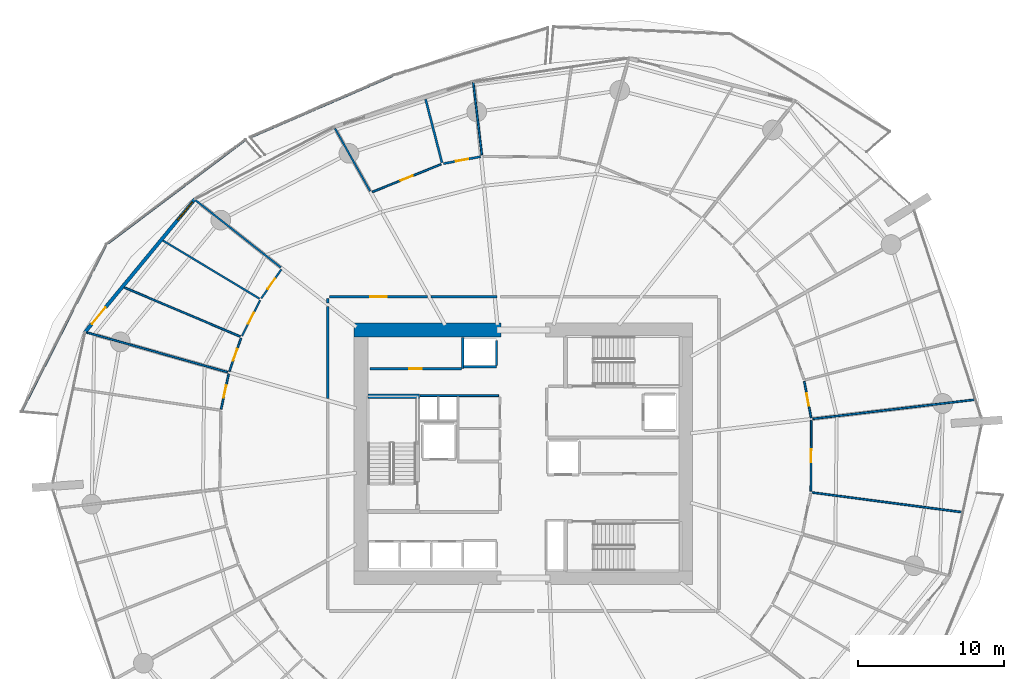
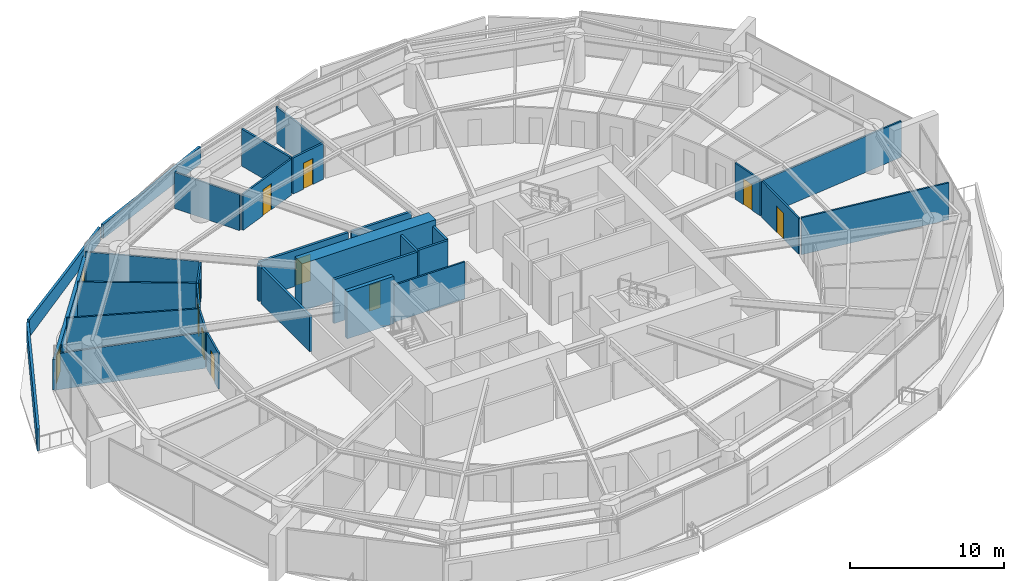
# One storey, part 22 of 31: 32 walls, 11 doors, 1 window, 12 openings.
"""IFC4 building model written with IfcOpenShell, lengths in metres."""

from ifc_helpers import new_model, si_unit, direction, frame, frame_2d, origin, place, context, subcontext, project, spatial, polyline, rectangle, outline, extrude, material, layer, layer_set, type_object, element, fill, save


model = new_model("IFC4")

# Units and contexts
model_context = context("Model", 3, precision=1e-05, world=origin(), true_north=direction((0.0, 1.0)))
body_context = subcontext(model_context, "Body", "Model", "MODEL_VIEW")
ifc_project = project(units=[si_unit("LENGTHUNIT", "METRE"), si_unit("AREAUNIT", "SQUARE_METRE"), si_unit("VOLUMEUNIT", "CUBIC_METRE"), si_unit("PLANEANGLEUNIT", "RADIAN"), si_unit("MASSUNIT", "GRAM", prefix="KILO")], contexts=[model_context])

# Site, building, storey
site_placement = place(None, origin())
site = spatial("IfcSite", under=ifc_project, at=site_placement, CompositionType="ELEMENT")
building_placement = place(site_placement, origin())
building = spatial("IfcBuilding", under=site, at=building_placement, Name="Kazma Halo Residences", CompositionType="ELEMENT")
storey_placement = place(building_placement, frame((0.0, 0.0, 37.64990234375)))
storey = spatial("IfcBuildingStorey", under=building, at=storey_placement, Name="L08", CompositionType="ELEMENT", Elevation=37.64990234375)

# Walls
ifc_material_1 = material(Name="White Concrete C50/60 Balustrade", Category="concrete")
ifc_layer_1 = layer(ifc_material_1, 0.179931640625)
ifc_layer_set_1 = layer_set([ifc_layer_1], Name="White Concrete C50/60 Balustrade")
wall_type_1 = type_object("IfcWallType", Name="WL-BAL-WAVE-180", PredefinedType="PARAPET", material=ifc_layer_set_1)
wall_1_placement = place(storey_placement, frame((39.468994140625, 67.86962890625, 0.0), z_axis=(0.0, 0.0, 1.0), x_axis=(-0.91788240727, -0.396852474384, 0.0)))
element("IfcWall", 1, at=wall_1_placement, inside=storey, type_object=wall_type_1, Name="L08 white wave balustrade wall NNW.2", PredefinedType="PARAPET", context=body_context, shape_type="SweptSolid", body=[
    extrude(outline(polyline([(0.0, 0.0), (10.61083984375, 0.0), (10.61083984375, 1.1201171875), (5.305419921875, 1.18212890625), (0.0, 1.34814453125), (0.0, 0.0)])), frame((0.0, 0.08984375, 0.0), z_axis=(0.0, -1.0, 0.0), x_axis=(1.0, 0.0, 0.0)), (0.0, 0.0, 1.0), 0.179931640625),
])
wall_2_placement = place(storey_placement, frame((29.413330078125, 63.494873046875, 0.0), z_axis=(0.0, 0.0, 1.0), x_axis=(-0.798916487869, -0.601441971773, 0.0)))
element("IfcWall", 2, at=wall_2_placement, inside=storey, type_object=wall_type_1, Name="L08 white wave balustrade wall NW.1", PredefinedType="PARAPET", context=body_context, shape_type="SweptSolid", body=[
    extrude(outline(polyline([(0.0, 0.0), (11.802978515625, 0.0), (11.802978515625, 1.34814453125), (5.901611328125, 1.18212890625), (0.0, 1.1201171875), (0.0, 0.0)])), frame((0.0, 0.08984375, 0.0), z_axis=(0.0, -1.0, 0.0), x_axis=(1.0, 0.0, 0.0)), (0.0, 0.0, 1.0), 0.179931640625),
])
wall_3_placement = place(storey_placement, frame((19.83349609375, 56.216796875, 0.0), z_axis=(0.0, 0.0, 1.0), x_axis=(-0.452795448166, -0.891614424581, 0.0)))
element("IfcWall", 3, at=wall_3_placement, inside=storey, type_object=wall_type_1, Name="L08 white wave balustrade wall NW.2", PredefinedType="PARAPET", context=body_context, shape_type="SweptSolid", body=[
    extrude(outline(polyline([(0.0, 0.0), (12.716796875, 0.0), (12.716796875, 1.7470703125), (6.3583984375, 1.56201171875), (0.0, 1.34814453125), (0.0, 0.0)])), frame((0.0, 0.08984375, 0.0), z_axis=(0.0, -1.0, 0.0), x_axis=(1.0, 0.0, 0.0)), (0.0, 0.0, 1.0), 0.179931640625),
])
ifc_material_2 = material(Name="Concrete C80/95", Category="concrete")
ifc_layer_2 = layer(ifc_material_2, 0.949951171875)
ifc_layer_set_2 = layer_set([ifc_layer_2], Name="Concrete C80/95")
wall_type_2 = type_object("IfcWallType", Name="WL-CORE-950", PredefinedType="SHEAR", material=ifc_layer_set_2)
wall_4_placement = place(storey_placement, frame((36.85009765625, 50.47509765625, 0.0), z_axis=(0.0, 0.0, 1.0), x_axis=(1.0, 0.0, 0.0)))
element("IfcWall", 4, at=wall_4_placement, inside=storey, type_object=wall_type_2, Name="L08 central core shear wall NW", PredefinedType="SHEAR", context=body_context, shape_type="SweptSolid", body=[
    extrude(rectangle(XDim=10.0498046875, YDim=0.949951171875, at=frame_2d((5.02490234375, 0.0))), origin(), (0.0, 0.0, 1.0), 3.75),
])
ifc_material_3 = material(Name="Concrete C60/75", Category="concrete")
ifc_layer_3 = layer(ifc_material_3, 0.280029296875)
ifc_layer_set_3 = layer_set([ifc_layer_3], Name="Concrete C60/75")
wall_type_3 = type_object("IfcWallType", Name="WL-CORE-ST-280", PredefinedType="SHEAR", material=ifc_layer_set_3)
wall_5_placement = place(storey_placement, frame((37.800048828125, 45.93994140625, 0.0), z_axis=(0.0, 0.0, 1.0), x_axis=(1.0, 0.0, 0.0)))
element("IfcWall", 5, at=wall_5_placement, inside=storey, type_object=wall_type_3, Name="L08 stairwell bearing wall ST01-N", PredefinedType="SHEAR", context=body_context, shape_type="SweptSolid", body=[
    extrude(rectangle(XDim=3.5, YDim=0.280029296875, at=frame_2d((1.75, 0.0))), origin(), (0.0, 0.0, 1.0), 3.75),
])

# Wall, opening, door
ifc_material_4 = material(Name="Acoustic Twin-Stud Gypsum")
ifc_layer_4 = layer(ifc_material_4, 0.179931640625)
ifc_layer_set_4 = layer_set([ifc_layer_4], Name="Acoustic Twin-Stud Gypsum")
wall_type_4 = type_object("IfcWallType", Name="WL-DEM-180", PredefinedType="PARTITIONING", material=ifc_layer_set_4)
wall_6_placement = place(storey_placement, frame((41.859619140625, 52.75, 0.0), z_axis=(0.0, 0.0, 1.0), x_axis=(-1.0, 0.0, 0.0)))
wall_6 = element("IfcWall", 6, at=wall_6_placement, inside=storey, type_object=wall_type_4, Name="L08 Apartment 1 entrance corridor wall", PredefinedType="PARTITIONING", context=body_context, shape_type="SweptSolid", body=[
    extrude(rectangle(XDim=6.689697265625, YDim=0.179931640625, at=frame_2d((3.3447265625, 0.0))), origin(), (0.0, 0.0, 1.0), 2.8671875),
])
opening_1_placement = place(wall_6_placement, frame((2.794921875, 0.0, 0.0)))
opening_1 = element("IfcOpeningElement", 7, at=opening_1_placement, cuts=wall_6, Name="Opening DA-1100", PredefinedType="OPENING", context=body_context, shape_type="SweptSolid", body=[
    extrude(rectangle(XDim=1.10009765625, YDim=2.10009765625, at=frame_2d((0.550048828125, 1.050048828125))), frame((0.0, 0.099853515625, 0.0), z_axis=(0.0, -1.0, 0.0), x_axis=(1.0, 0.0, 0.0)), (0.0, 0.0, 1.0), 0.199951171875),
])
ifc_material_5 = material(Name="Acoustic Walnut Fire Leaf")
door_type_1 = type_object("IfcDoorType", Name="DR-FD60-1100", OperationType="NOTDEFINED", PredefinedType="DOOR", material=ifc_material_5)
door_1_placement = place(opening_1_placement, origin())
door_1 = element("IfcDoor", 8, at=door_1_placement, inside=storey, type_object=door_type_1, Name="L08 Apartment 1 entrance fire door", OperationType="SINGLE_SWING_RIGHT", OverallHeight=2.10009765625, OverallWidth=1.10009765625, PredefinedType="DOOR", context=body_context, shape_type="SweptSolid", body=[
    extrude(rectangle(XDim=1.10009765625, YDim=2.10009765625, at=frame_2d((0.550048828125, 1.050048828125))), frame((0.0, 0.02490234375, 0.0), z_axis=(0.0, -1.0, 0.0), x_axis=(1.0, 0.0, 0.0)), (0.0, 0.0, 1.0), 0.050048828125),
])
fill(opening_1, door_1)

# Walls
wall_7_placement = place(storey_placement, frame((35.050048828125, 52.6298828125, 0.0), z_axis=(0.0, 0.0, 1.0), x_axis=(0.0, -1.0, 0.0)))
element("IfcWall", 9, at=wall_7_placement, inside=storey, type_object=wall_type_4, Name="L08 Apartment 1 entrance corridor wall", PredefinedType="PARTITIONING", context=body_context, shape_type="SweptSolid", body=[
    extrude(rectangle(XDim=0.30078125, YDim=0.179931640625, at=frame_2d((0.150390625, 0.0))), origin(), (0.0, 0.0, 1.0), 2.8671875),
])
wall_8_placement = place(storey_placement, frame((46.607666015625, 52.75, 0.0), z_axis=(0.0, 0.0, 1.0), x_axis=(-1.0, 0.0, 0.0)))
element("IfcWall", 10, at=wall_8_placement, inside=storey, type_object=wall_type_4, Name="L08 Apartment 1 inner wall 3", PredefinedType="PARTITIONING", context=body_context, shape_type="SweptSolid", body=[
    extrude(rectangle(XDim=4.508056640625, YDim=0.179931640625, at=frame_2d((2.25390625, 0.0))), origin(), (0.0, 0.0, 1.0), 2.8671875),
])
wall_9_placement = place(storey_placement, frame((35.050048828125, 52.089111328125, 0.0), z_axis=(0.0, 0.0, 1.0), x_axis=(0.0, -1.0, 0.0)))
element("IfcWall", 11, at=wall_9_placement, inside=storey, type_object=wall_type_4, Name="L08 Apartment 1 inner wall 5", PredefinedType="PARTITIONING", context=body_context, shape_type="SweptSolid", body=[
    extrude(rectangle(XDim=6.31689453125, YDim=0.179931640625, at=frame_2d((3.158447265625, 0.0))), origin(), (0.0, 0.0, 1.0), 2.8671875),
])

# Wall, openings, door, window
ifc_material_6 = material(Name="Insulated Pale-Metal Composite Wall")
ifc_layer_5 = layer(ifc_material_6, 0.239990234375)
ifc_layer_set_5 = layer_set([ifc_layer_5], Name="Insulated Pale-Metal Composite Wall")
wall_type_5 = type_object("IfcWallType", Name="WL-EXT-HOST-240", PredefinedType="SOLIDWALL", material=ifc_layer_set_5)
wall_10_placement = place(storey_placement, frame((25.966796875, 59.433349609375, 0.0), z_axis=(0.0, 0.0, 1.0), x_axis=(-0.636674332663, -0.771132799281, 0.0)))
wall_10 = element("IfcWall", 12, at=wall_10_placement, inside=storey, type_object=wall_type_5, Name="L08 exterior terrace-access wall B06", PredefinedType="SOLIDWALL", context=body_context, shape_type="SweptSolid", body=[
    extrude(rectangle(XDim=11.851318359375, YDim=0.239990234375, at=frame_2d((5.92578125, 0.0))), origin(), (0.0, 0.0, 1.0), 2.4501953125),
])
opening_2_placement = place(wall_10_placement, frame((9.631103515625, 0.0, 0.0)))
opening_2 = element("IfcOpeningElement", 13, at=opening_2_placement, cuts=wall_10, Name="Opening DTR-1600", PredefinedType="OPENING", context=body_context, shape_type="SweptSolid", body=[
    extrude(rectangle(XDim=1.449951171875, YDim=2.14990234375, at=frame_2d((0.72509765625, 1.074951171875))), frame((0.0, 0.1298828125, 0.0), z_axis=(0.0, -1.0, 0.0), x_axis=(1.0, 0.0, 0.0)), (0.0, 0.0, 1.0), 0.260009765625),
])
opening_3_placement = place(wall_10_placement, frame((0.280029296875, 0.0, 0.64990234375)))
opening_3 = element("IfcOpeningElement", 14, at=opening_3_placement, cuts=wall_10, Name="Opening W-1800", PredefinedType="OPENING", context=body_context, shape_type="SweptSolid", body=[
    extrude(rectangle(XDim=1.60009765625, YDim=1.5, at=frame_2d((0.800048828125, 0.75))), frame((0.0, 0.1298828125, 0.0), z_axis=(0.0, -1.0, 0.0), x_axis=(1.0, 0.0, 0.0)), (0.0, 0.0, 1.0), 0.260009765625),
])
ifc_material_7 = material(Name="Aluminium AW-6063 T6 Double-Glazed Terrace Door", Category="aluminium")
door_type_2 = type_object("IfcDoorType", Name="DR-EXT-TERR-1600", OperationType="NOTDEFINED", PredefinedType="DOOR", material=ifc_material_7)
door_2_placement = place(opening_2_placement, origin())
door_2 = element("IfcDoor", 15, at=door_2_placement, inside=storey, type_object=door_type_2, Name="L08 B06 balcony terrace door", OperationType="DOUBLE_DOOR_SLIDING", OverallHeight=2.14990234375, OverallWidth=1.449951171875, PredefinedType="DOOR", context=body_context, shape_type="SweptSolid", body=[
    extrude(rectangle(XDim=1.449951171875, YDim=2.14990234375, at=frame_2d((0.72509765625, 1.074951171875))), frame((0.0, 0.02490234375, 0.0), z_axis=(0.0, -1.0, 0.0), x_axis=(1.0, 0.0, 0.0)), (0.0, 0.0, 1.0), 0.050048828125),
])
fill(opening_2, door_2)
ifc_material_8 = material(Name="Clear Triple-Silver Low-E Glass in Aluminium AW-6063 T6 Frame", Category="aluminium")
window_type = type_object("IfcWindowType", Name="WIN-RES-1800", PartitioningType="DOUBLE_PANEL_VERTICAL", PredefinedType="WINDOW", material=ifc_material_8)
window_placement = place(opening_3_placement, origin())
window = element("IfcWindow", 16, at=window_placement, inside=storey, type_object=window_type, Name="L08 B06 apartment window", OverallHeight=1.5, OverallWidth=1.60009765625, PartitioningType="SINGLE_PANEL", PredefinedType="WINDOW", context=body_context, shape_type="SweptSolid", body=[
    extrude(rectangle(XDim=1.60009765625, YDim=1.5, at=frame_2d((0.800048828125, 0.75))), frame((0.0, 0.030029296875, 0.0), z_axis=(0.0, -1.0, 0.0), x_axis=(1.0, 0.0, 0.0)), (0.0, 0.0, 1.0), 0.06005859375),
])
fill(opening_3, window)

# Walls
ifc_material_9 = material(Name="Fire-Rated Blockwork Masonry", Category="masonry")
ifc_layer_6 = layer(ifc_material_9, 0.199951171875)
ifc_layer_set_6 = layer_set([ifc_layer_6], Name="Fire-Rated Blockwork Masonry")
wall_type_6 = type_object("IfcWallType", Name="WL-FLB-200", PredefinedType="PARTITIONING", material=ifc_layer_set_6)
wall_11_placement = place(storey_placement, frame((46.580078125, 47.945068359375, 0.0), z_axis=(0.0, 0.0, 1.0), x_axis=(-1.0, 0.0, 0.0)))
element("IfcWall", 17, at=wall_11_placement, inside=storey, type_object=wall_type_6, Name="L08 lift shaft PX-01 front wall", PredefinedType="PARTITIONING", context=body_context, shape_type="SweptSolid", body=[
    extrude(rectangle(XDim=2.260009765625, YDim=0.159912109375, at=frame_2d((1.1298828125, 0.0))), origin(), (0.0, 0.0, 1.0), 3.5),
])
wall_12_placement = place(storey_placement, frame((46.580078125, 48.044921875, 0.0), z_axis=(0.0, 0.0, 1.0), x_axis=(0.0, 1.0, 0.0)))
element("IfcWall", 18, at=wall_12_placement, inside=storey, type_object=wall_type_6, Name="L08 lift shaft PX-01 side wall E", PredefinedType="PARTITIONING", context=body_context, shape_type="SweptSolid", body=[
    extrude(rectangle(XDim=1.7099609375, YDim=0.159912109375, at=frame_2d((0.85498046875, 0.0))), origin(), (0.0, 0.0, 1.0), 3.5),
])

# Wall, opening, door
wall_13_placement = place(storey_placement, frame((37.919921875, 47.820068359375, 0.0), z_axis=(0.0, 0.0, 1.0), x_axis=(1.0, 0.0, 0.0)))
wall_13 = element("IfcWall", 19, at=wall_13_placement, inside=storey, type_object=wall_type_6, Name="L08 core north reserve wall", PredefinedType="PARTITIONING", context=body_context, shape_type="SweptSolid", body=[
    extrude(rectangle(XDim=6.260009765625, YDim=0.179931640625, at=frame_2d((3.1298828125, 0.0))), origin(), (0.0, 0.0, 1.0), 3.5),
])
opening_4_placement = place(wall_13_placement, frame((2.705078125, 0.0, 0.0)))
opening_4 = element("IfcOpeningElement", 20, at=opening_4_placement, cuts=wall_13, Name="Opening DS-850", PredefinedType="OPENING", context=body_context, shape_type="SweptSolid", body=[
    extrude(rectangle(XDim=0.85009765625, YDim=2.06005859375, at=frame_2d((0.425048828125, 1.030029296875))), frame((0.0, 0.099853515625, 0.0), z_axis=(0.0, -1.0, 0.0), x_axis=(1.0, 0.0, 0.0)), (0.0, 0.0, 1.0), 0.199951171875),
])
ifc_material_10 = material(Name="Painted Steel Access Leaf", Category="steel")
door_type_3 = type_object("IfcDoorType", Name="DR-SVC-850", OperationType="NOTDEFINED", PredefinedType="DOOR", material=ifc_material_10)
door_3_placement = place(opening_4_placement, origin())
door_3 = element("IfcDoor", 21, at=door_3_placement, inside=storey, type_object=door_type_3, Name="L08 core north reserve door", OperationType="SINGLE_SWING_RIGHT", OverallHeight=2.06005859375, OverallWidth=0.85009765625, PredefinedType="DOOR", context=body_context, shape_type="SweptSolid", body=[
    extrude(rectangle(XDim=0.85009765625, YDim=2.06005859375, at=frame_2d((0.425048828125, 1.030029296875))), frame((0.0, 0.02490234375, 0.0), z_axis=(0.0, -1.0, 0.0), x_axis=(1.0, 0.0, 0.0)), (0.0, 0.0, 1.0), 0.050048828125),
])
fill(opening_4, door_3)

# Walls
wall_14_placement = place(storey_placement, frame((44.280029296875, 47.820068359375, 0.0), z_axis=(0.0, 0.0, 1.0), x_axis=(0.0, 1.0, 0.0)))
element("IfcWall", 22, at=wall_14_placement, inside=storey, type_object=wall_type_6, Name="L08 PX-01 hoistway west wall", PredefinedType="PARTITIONING", context=body_context, shape_type="SweptSolid", body=[
    extrude(rectangle(XDim=2.1298828125, YDim=0.179931640625, at=frame_2d((1.06494140625, 0.0))), origin(), (0.0, 0.0, 1.0), 3.5),
])
ifc_material_11 = material(Name="Gypsum Plasterboard Partition")
ifc_layer_7 = layer(ifc_material_11, 0.125)
ifc_layer_set_7 = layer_set([ifc_layer_7], Name="Gypsum Plasterboard Partition")
wall_type_7 = type_object("IfcWallType", Name="WL-PART-125", PredefinedType="PARTITIONING", material=ifc_layer_set_7)
wall_15_placement = place(storey_placement, frame((41.360107421875, 45.97998046875, 0.0), z_axis=(0.0, 0.0, 1.0), x_axis=(1.0, 0.0, 0.0)))
element("IfcWall", 23, at=wall_15_placement, inside=storey, type_object=wall_type_7, Name="L08 core north riser wall", PredefinedType="PARTITIONING", context=body_context, shape_type="SweptSolid", body=[
    extrude(rectangle(XDim=5.35986328125, YDim=0.125, at=frame_2d((2.679931640625, 0.0))), origin(), (0.0, 0.0, 1.0), 2.940185546875),
])
wall_16_placement = place(storey_placement, frame((45.580810546875, 62.440185546875, 0.0), z_axis=(0.0, 0.0, 1.0), x_axis=(-0.117522242016, 0.993070250602, 0.0)))
element("IfcWall", 24, at=wall_16_placement, inside=storey, type_object=wall_type_7, Name="L08 Apartment 1 radial partition 3", PredefinedType="PARTITIONING", context=body_context, shape_type="SweptSolid", body=[
    extrude(rectangle(XDim=5.0126953125, YDim=0.125, at=frame_2d((2.50634765625, 0.0))), origin(), (0.0, 0.0, 1.0), 2.8671875),
])
wall_17_placement = place(storey_placement, frame((37.942626953125, 59.95849609375, 0.0), z_axis=(0.0, 0.0, 1.0), x_axis=(-0.488606395453, 0.872504321091, 0.0)))
element("IfcWall", 25, at=wall_17_placement, inside=storey, type_object=wall_type_7, Name="L08 Apartment 1 living radial partition 3", PredefinedType="PARTITIONING", context=body_context, shape_type="SweptSolid", body=[
    extrude(rectangle(XDim=4.912841796875, YDim=0.125, at=frame_2d((2.45654296875, 0.0))), origin(), (0.0, 0.0, 1.0), 2.8671875),
])

# Wall, opening, door
wall_18_placement = place(storey_placement, frame((42.79150390625, 61.798095703125, 0.0), z_axis=(0.0, 0.0, 1.0), x_axis=(-0.928027868691, -0.372510771566, 0.0)))
wall_18 = element("IfcWall", 26, at=wall_18_placement, inside=storey, type_object=wall_type_7, Name="L08 Apartment 1 Outer Master Bedroom hall wall", PredefinedType="PARTITIONING", context=body_context, shape_type="SweptSolid", body=[
    extrude(rectangle(XDim=5.072021484375, YDim=0.125, at=frame_2d((2.5361328125, 0.0))), origin(), (0.0, 0.0, 1.0), 2.8671875),
])
opening_5_placement = place(wall_18_placement, frame((2.0859375, 0.0, 0.0)))
opening_5 = element("IfcOpeningElement", 27, at=opening_5_placement, cuts=wall_18, Name="Opening DI-950", PredefinedType="OPENING", context=body_context, shape_type="SweptSolid", body=[
    extrude(rectangle(XDim=0.89990234375, YDim=2.080078125, at=frame_2d((0.449951171875, 1.0400390625))), frame((0.0, 0.072509765625, 0.0), z_axis=(0.0, -1.0, 0.0), x_axis=(1.0, 0.0, 0.0)), (0.0, 0.0, 1.0), 0.14501953125),
])
ifc_material_12 = material(Name="Timber Veneer Flush Leaf", Category="wood")
door_type_4 = type_object("IfcDoorType", Name="DR-INT-950", OperationType="NOTDEFINED", PredefinedType="DOOR", material=ifc_material_12)
door_4_placement = place(opening_5_placement, origin())
door_4 = element("IfcDoor", 28, at=door_4_placement, inside=storey, type_object=door_type_4, Name="L08 Apartment 1 Outer Master Bedroom door", OperationType="SINGLE_SWING_RIGHT", OverallHeight=2.080078125, OverallWidth=0.89990234375, PredefinedType="DOOR", context=body_context, shape_type="SweptSolid", body=[
    extrude(rectangle(XDim=0.89990234375, YDim=2.080078125, at=frame_2d((0.449951171875, 1.0400390625))), frame((0.0, 0.02490234375, 0.0), z_axis=(0.0, -1.0, 0.0), x_axis=(1.0, 0.0, 0.0)), (0.0, 0.0, 1.0), 0.050048828125),
])
fill(opening_5, door_4)

# Walls
wall_19_placement = place(storey_placement, frame((31.8359375, 54.742919921875, 0.0), z_axis=(0.0, 0.0, 1.0), x_axis=(-0.785333171854, 0.619073347178, 0.0)))
element("IfcWall", 29, at=wall_19_placement, inside=storey, type_object=wall_type_7, Name="L08 Apartment 1 radial partition 5", PredefinedType="PARTITIONING", context=body_context, shape_type="SweptSolid", body=[
    extrude(rectangle(XDim=7.489013671875, YDim=0.125, at=frame_2d((3.74462890625, 0.0))), origin(), (0.0, 0.0, 1.0), 2.8671875),
])
wall_20_placement = place(storey_placement, frame((30.374755859375, 52.611083984375, 0.0), z_axis=(0.0, 0.0, 1.0), x_axis=(-0.856697740307, 0.515818748936, 0.0)))
element("IfcWall", 30, at=wall_20_placement, inside=storey, type_object=wall_type_7, Name="L08 Apartment 1 bay wall 1 5", PredefinedType="PARTITIONING", context=body_context, shape_type="SweptSolid", body=[
    extrude(rectangle(XDim=7.70361328125, YDim=0.125, at=frame_2d((3.851806640625, 0.0))), origin(), (0.0, 0.0, 1.0), 2.940185546875),
])
wall_21_placement = place(storey_placement, frame((29.055419921875, 50.02197265625, 0.0), z_axis=(0.0, 0.0, 1.0), x_axis=(-0.920841617163, 0.389936810395, 0.0)))
element("IfcWall", 31, at=wall_21_placement, inside=storey, type_object=wall_type_7, Name="L08 Apartment 1 bay wall 2 5", PredefinedType="PARTITIONING", context=body_context, shape_type="SweptSolid", body=[
    extrude(rectangle(XDim=8.61279296875, YDim=0.125, at=frame_2d((4.306396484375, 0.0))), origin(), (0.0, 0.0, 1.0), 2.940185546875),
])

# Wall, opening, door
wall_22_placement = place(storey_placement, frame((31.868896484375, 54.614990234375, 0.0), z_axis=(0.0, 0.0, 1.0), x_axis=(-0.568588801709, -0.822621890404, 0.0)))
wall_22 = element("IfcWall", 32, at=wall_22_placement, inside=storey, type_object=wall_type_7, Name="L08 Apartment 1 Corner Bedroom hall wall", PredefinedType="PARTITIONING", context=body_context, shape_type="SweptSolid", body=[
    extrude(rectangle(XDim=2.412353515625, YDim=0.125, at=frame_2d((1.2060546875, 0.0))), origin(), (0.0, 0.0, 1.0), 2.8671875),
])
opening_6_placement = place(wall_22_placement, frame((0.78125, 0.0, 0.0)))
opening_6 = element("IfcOpeningElement", 33, at=opening_6_placement, cuts=wall_22, Name="Opening DB-900", PredefinedType="OPENING", context=body_context, shape_type="SweptSolid", body=[
    extrude(rectangle(XDim=0.85009765625, YDim=2.06005859375, at=frame_2d((0.425048828125, 1.030029296875))), frame((0.0, 0.072509765625, 0.0), z_axis=(0.0, -1.0, 0.0), x_axis=(1.0, 0.0, 0.0)), (0.0, 0.0, 1.0), 0.14501953125),
])
ifc_material_13 = material(Name="Moisture-Sealed Timber Leaf", Category="wood")
door_type_5 = type_object("IfcDoorType", Name="DR-BTH-900", OperationType="NOTDEFINED", PredefinedType="DOOR", material=ifc_material_13)
door_5_placement = place(opening_6_placement, origin())
door_5 = element("IfcDoor", 34, at=door_5_placement, inside=storey, type_object=door_type_5, Name="L08 Apartment 1 Corner Bedroom door", OperationType="SINGLE_SWING_LEFT", OverallHeight=2.06005859375, OverallWidth=0.85009765625, PredefinedType="DOOR", context=body_context, shape_type="SweptSolid", body=[
    extrude(rectangle(XDim=0.85009765625, YDim=2.06005859375, at=frame_2d((0.425048828125, 1.030029296875))), frame((0.0, 0.02490234375, 0.0), z_axis=(0.0, -1.0, 0.0), x_axis=(1.0, 0.0, 0.0)), (0.0, 0.0, 1.0), 0.050048828125),
])
fill(opening_6, door_5)

wall_23_placement = place(storey_placement, frame((30.41552734375, 52.493408203125, 0.0), z_axis=(0.0, 0.0, 1.0), x_axis=(-0.454024795493, -0.890989048798, 0.0)))
wall_23 = element("IfcWall", 35, at=wall_23_placement, inside=storey, type_object=wall_type_7, Name="L08 Apartment 1 Garden Dressing Wardrobe hall wall", PredefinedType="PARTITIONING", context=body_context, shape_type="SweptSolid", body=[
    extrude(rectangle(XDim=2.733154296875, YDim=0.125, at=frame_2d((1.36669921875, 0.0))), origin(), (0.0, 0.0, 1.0), 2.940185546875),
])
opening_7_placement = place(wall_23_placement, frame((0.941650390625, 0.0, 0.0)))
opening_7 = element("IfcOpeningElement", 36, at=opening_7_placement, cuts=wall_23, Name="Opening DB-900", PredefinedType="OPENING", context=body_context, shape_type="SweptSolid", body=[
    extrude(rectangle(XDim=0.85009765625, YDim=2.06005859375, at=frame_2d((0.425048828125, 1.030029296875))), frame((0.0, 0.072509765625, 0.0), z_axis=(0.0, -1.0, 0.0), x_axis=(1.0, 0.0, 0.0)), (0.0, 0.0, 1.0), 0.14501953125),
])
door_6_placement = place(opening_7_placement, origin())
door_6 = element("IfcDoor", 37, at=door_6_placement, inside=storey, type_object=door_type_5, Name="L08 Apartment 1 Garden Dressing Wardrobe door", OperationType="SINGLE_SWING_RIGHT", OverallHeight=2.06005859375, OverallWidth=0.85009765625, PredefinedType="DOOR", context=body_context, shape_type="SweptSolid", body=[
    extrude(rectangle(XDim=0.85009765625, YDim=2.06005859375, at=frame_2d((0.425048828125, 1.030029296875))), frame((0.0, 0.02490234375, 0.0), z_axis=(0.0, -1.0, 0.0), x_axis=(1.0, 0.0, 0.0)), (0.0, 0.0, 1.0), 0.050048828125),
])
fill(opening_7, door_6)

wall_24_placement = place(storey_placement, frame((29.11181640625, 49.911376953125, 0.0), z_axis=(0.0, 0.0, 1.0), x_axis=(-0.331369117911, -0.943501196446, 0.0)))
wall_24 = element("IfcWall", 38, at=wall_24_placement, inside=storey, type_object=wall_type_7, Name="L08 Apartment 1 Sky Bedroom hall wall", PredefinedType="PARTITIONING", context=body_context, shape_type="SweptSolid", body=[
    extrude(rectangle(XDim=2.412109375, YDim=0.125, at=frame_2d((1.2060546875, 0.0))), origin(), (0.0, 0.0, 1.0), 2.8671875),
])
opening_8_placement = place(wall_24_placement, frame((0.781005859375, 0.0, 0.0)))
opening_8 = element("IfcOpeningElement", 39, at=opening_8_placement, cuts=wall_24, Name="Opening DB-900", PredefinedType="OPENING", context=body_context, shape_type="SweptSolid", body=[
    extrude(rectangle(XDim=0.85009765625, YDim=2.06005859375, at=frame_2d((0.425048828125, 1.030029296875))), frame((0.0, 0.072509765625, 0.0), z_axis=(0.0, -1.0, 0.0), x_axis=(1.0, 0.0, 0.0)), (0.0, 0.0, 1.0), 0.14501953125),
])
door_7_placement = place(opening_8_placement, origin())
door_7 = element("IfcDoor", 40, at=door_7_placement, inside=storey, type_object=door_type_5, Name="L08 Apartment 1 Sky Bedroom door", OperationType="SINGLE_SWING_LEFT", OverallHeight=2.06005859375, OverallWidth=0.85009765625, PredefinedType="DOOR", context=body_context, shape_type="SweptSolid", body=[
    extrude(rectangle(XDim=0.85009765625, YDim=2.06005859375, at=frame_2d((0.425048828125, 1.030029296875))), frame((0.0, 0.02490234375, 0.0), z_axis=(0.0, -1.0, 0.0), x_axis=(1.0, 0.0, 0.0)), (0.0, 0.0, 1.0), 0.050048828125),
])
fill(opening_8, door_7)

# Wall
wall_25_placement = place(storey_placement, frame((28.189697265625, 47.5869140625, 0.0), z_axis=(0.0, 0.0, 1.0), x_axis=(-0.962452458747, 0.271450298675, 0.0)))
element("IfcWall", 41, at=wall_25_placement, inside=storey, type_object=wall_type_7, Name="L08 Apartment 1 radial partition 6", PredefinedType="PARTITIONING", context=body_context, shape_type="SweptSolid", body=[
    extrude(rectangle(XDim=9.991455078125, YDim=0.125, at=frame_2d((4.99560546875, 0.0))), origin(), (0.0, 0.0, 1.0), 2.8671875),
])

# Wall, opening, door
wall_26_placement = place(storey_placement, frame((28.26513671875, 47.462158203125, 0.0), z_axis=(0.0, 0.0, 1.0), x_axis=(-0.20890462523, -0.977936019153, 0.0)))
wall_26 = element("IfcWall", 42, at=wall_26_placement, inside=storey, type_object=wall_type_7, Name="L08 Apartment 1 Gulf Wine Pantry Store hall wall", PredefinedType="PARTITIONING", context=body_context, shape_type="SweptSolid", body=[
    extrude(rectangle(XDim=2.45654296875, YDim=0.125, at=frame_2d((1.228271484375, 0.0))), origin(), (0.0, 0.0, 1.0), 2.8671875),
])
opening_9_placement = place(wall_26_placement, frame((0.80322265625, 0.0, 0.0)))
opening_9 = element("IfcOpeningElement", 43, at=opening_9_placement, cuts=wall_26, Name="Opening DB-900", PredefinedType="OPENING", context=body_context, shape_type="SweptSolid", body=[
    extrude(rectangle(XDim=0.85009765625, YDim=2.06005859375, at=frame_2d((0.425048828125, 1.030029296875))), frame((0.0, 0.072509765625, 0.0), z_axis=(0.0, -1.0, 0.0), x_axis=(1.0, 0.0, 0.0)), (0.0, 0.0, 1.0), 0.14501953125),
])
door_8_placement = place(opening_9_placement, origin())
door_8 = element("IfcDoor", 44, at=door_8_placement, inside=storey, type_object=door_type_5, Name="L08 Apartment 1 Gulf Wine Pantry Store door", OperationType="SINGLE_SWING_LEFT", OverallHeight=2.06005859375, OverallWidth=0.85009765625, PredefinedType="DOOR", context=body_context, shape_type="SweptSolid", body=[
    extrude(rectangle(XDim=0.85009765625, YDim=2.06005859375, at=frame_2d((0.425048828125, 1.030029296875))), frame((0.0, 0.02490234375, 0.0), z_axis=(0.0, -1.0, 0.0), x_axis=(1.0, 0.0, 0.0)), (0.0, 0.0, 1.0), 0.050048828125),
])
fill(opening_9, door_8)

# Wall
wall_27_placement = place(storey_placement, frame((68.17041015625, 39.355224609375, 0.0), z_axis=(0.0, 0.0, 1.0), x_axis=(0.991512615626, -0.130010511326, 0.0)))
element("IfcWall", 45, at=wall_27_placement, inside=storey, type_object=wall_type_7, Name="L08 Apartment 2 mid-bay wall 14", PredefinedType="PARTITIONING", context=body_context, shape_type="SweptSolid", body=[
    extrude(rectangle(XDim=10.369384765625, YDim=0.125, at=frame_2d((5.1845703125, 0.0))), origin(), (0.0, 0.0, 1.0), 2.940185546875),
])

# Wall, opening, door
wall_28_placement = place(storey_placement, frame((68.08154296875, 39.447021484375, 0.0), z_axis=(0.0, 0.0, 1.0), x_axis=(0.006313643226, 0.999980068756, 0.0)))
wall_28 = element("IfcWall", 46, at=wall_28_placement, inside=storey, type_object=wall_type_7, Name="L08 Apartment 2 Primary Formal Dining Room hall wall", PredefinedType="PARTITIONING", context=body_context, shape_type="SweptSolid", body=[
    extrude(rectangle(XDim=4.83349609375, YDim=0.125, at=frame_2d((2.416748046875, 0.0))), origin(), (0.0, 0.0, 1.0), 2.8671875),
])
opening_10_placement = place(wall_28_placement, frame((1.966796875, 0.0, 0.0)))
opening_10 = element("IfcOpeningElement", 47, at=opening_10_placement, cuts=wall_28, Name="Opening DI-950", PredefinedType="OPENING", context=body_context, shape_type="SweptSolid", body=[
    extrude(rectangle(XDim=0.89990234375, YDim=2.080078125, at=frame_2d((0.449951171875, 1.0400390625))), frame((0.0, 0.072509765625, 0.0), z_axis=(0.0, -1.0, 0.0), x_axis=(1.0, 0.0, 0.0)), (0.0, 0.0, 1.0), 0.14501953125),
])
door_9_placement = place(opening_10_placement, origin())
door_9 = element("IfcDoor", 48, at=door_9_placement, inside=storey, type_object=door_type_4, Name="L08 Apartment 2 Primary Formal Dining Room door", OperationType="SINGLE_SWING_RIGHT", OverallHeight=2.080078125, OverallWidth=0.89990234375, PredefinedType="DOOR", context=body_context, shape_type="SweptSolid", body=[
    extrude(rectangle(XDim=0.89990234375, YDim=2.080078125, at=frame_2d((0.449951171875, 1.0400390625))), frame((0.0, 0.02490234375, 0.0), z_axis=(0.0, -1.0, 0.0), x_axis=(1.0, 0.0, 0.0)), (0.0, 0.0, 1.0), 0.050048828125),
])
fill(opening_10, door_9)

# Wall
wall_29_placement = place(storey_placement, frame((68.2119140625, 44.392333984375, 0.0), z_axis=(0.0, 0.0, 1.0), x_axis=(0.993068868454, 0.117533920671, 0.0)))
element("IfcWall", 49, at=wall_29_placement, inside=storey, type_object=wall_type_7, Name="L08 Apartment 2 radial partition 15", PredefinedType="PARTITIONING", context=body_context, shape_type="SweptSolid", body=[
    extrude(rectangle(XDim=11.185791015625, YDim=0.125, at=frame_2d((5.5927734375, 0.0))), origin(), (0.0, 0.0, 1.0), 2.8671875),
])

# Wall, opening, door
wall_30_placement = place(storey_placement, frame((68.097900390625, 44.458984375, 0.0), z_axis=(0.0, 0.0, 1.0), x_axis=(-0.183523097457, 0.983015397997, 0.0)))
wall_30 = element("IfcWall", 50, at=wall_30_placement, inside=storey, type_object=wall_type_7, Name="L08 Apartment 2 Secondary Master Bedroom hall wall", PredefinedType="PARTITIONING", context=body_context, shape_type="SweptSolid", body=[
    extrude(rectangle(XDim=2.542236328125, YDim=0.125, at=frame_2d((1.27099609375, 0.0))), origin(), (0.0, 0.0, 1.0), 2.8671875),
])
opening_11_placement = place(wall_30_placement, frame((0.84619140625, 0.0, 0.0)))
opening_11 = element("IfcOpeningElement", 51, at=opening_11_placement, cuts=wall_30, Name="Opening DB-900", PredefinedType="OPENING", context=body_context, shape_type="SweptSolid", body=[
    extrude(rectangle(XDim=0.85009765625, YDim=2.06005859375, at=frame_2d((0.425048828125, 1.030029296875))), frame((0.0, 0.072509765625, 0.0), z_axis=(0.0, -1.0, 0.0), x_axis=(1.0, 0.0, 0.0)), (0.0, 0.0, 1.0), 0.14501953125),
])
door_10_placement = place(opening_11_placement, origin())
door_10 = element("IfcDoor", 52, at=door_10_placement, inside=storey, type_object=door_type_5, Name="L08 Apartment 2 Secondary Master Bedroom door", OperationType="SINGLE_SWING_LEFT", OverallHeight=2.06005859375, OverallWidth=0.85009765625, PredefinedType="DOOR", context=body_context, shape_type="SweptSolid", body=[
    extrude(rectangle(XDim=0.85009765625, YDim=2.06005859375, at=frame_2d((0.425048828125, 1.030029296875))), frame((0.0, 0.02490234375, 0.0), z_axis=(0.0, -1.0, 0.0), x_axis=(1.0, 0.0, 0.0)), (0.0, 0.0, 1.0), 0.050048828125),
])
fill(opening_11, door_10)

ifc_material_14 = material(Name="Moisture-Resistant Gypsum")
ifc_layer_8 = layer(ifc_material_14, 0.14990234375)
ifc_layer_set_8 = layer_set([ifc_layer_8], Name="Moisture-Resistant Gypsum")
wall_type_8 = type_object("IfcWallType", Name="WL-WET-150", PredefinedType="PARTITIONING", material=ifc_layer_set_8)
wall_31_placement = place(storey_placement, frame((45.494140625, 62.322509765625, 0.0), z_axis=(0.0, 0.0, 1.0), x_axis=(-0.982882919375, -0.184231286161, 0.0)))
wall_31 = element("IfcWall", 53, at=wall_31_placement, inside=storey, type_object=wall_type_8, Name="L08 Apartment 1 Inner En-Suite Bathroom hall wall", PredefinedType="PARTITIONING", context=body_context, shape_type="SweptSolid", body=[
    extrude(rectangle(XDim=2.574951171875, YDim=0.14990234375, at=frame_2d((1.28759765625, 0.0))), origin(), (0.0, 0.0, 1.0), 2.8671875),
])
opening_12_placement = place(wall_31_placement, frame((0.8623046875, 0.0, 0.0)))
opening_12 = element("IfcOpeningElement", 54, at=opening_12_placement, cuts=wall_31, Name="Opening DB-900", PredefinedType="OPENING", context=body_context, shape_type="SweptSolid", body=[
    extrude(rectangle(XDim=0.85009765625, YDim=2.06005859375, at=frame_2d((0.425048828125, 1.030029296875))), frame((0.0, 0.0849609375, 0.0), z_axis=(0.0, -1.0, 0.0), x_axis=(1.0, 0.0, 0.0)), (0.0, 0.0, 1.0), 0.169921875),
])
door_11_placement = place(opening_12_placement, origin())
door_11 = element("IfcDoor", 55, at=door_11_placement, inside=storey, type_object=door_type_5, Name="L08 Apartment 1 Inner En-Suite Bathroom door", OperationType="SINGLE_SWING_RIGHT", OverallHeight=2.06005859375, OverallWidth=0.85009765625, PredefinedType="DOOR", context=body_context, shape_type="SweptSolid", body=[
    extrude(rectangle(XDim=0.85009765625, YDim=2.06005859375, at=frame_2d((0.425048828125, 1.030029296875))), frame((0.0, 0.02490234375, 0.0), z_axis=(0.0, -1.0, 0.0), x_axis=(1.0, 0.0, 0.0)), (0.0, 0.0, 1.0), 0.050048828125),
])
fill(opening_12, door_11)

# Wall
wall_32_placement = place(storey_placement, frame((42.852294921875, 61.918701171875, 0.0), z_axis=(0.0, 0.0, 1.0), x_axis=(-0.250174852853, 0.968200672898, 0.0)))
element("IfcWall", 56, at=wall_32_placement, inside=storey, type_object=wall_type_8, Name="L08 Apartment 1 Inner En-Suite Bathroom side wall", PredefinedType="PARTITIONING", context=body_context, shape_type="SweptSolid", body=[
    extrude(rectangle(XDim=4.477294921875, YDim=0.14990234375, at=frame_2d((2.23876953125, 0.0))), origin(), (0.0, 0.0, 1.0), 2.940185546875),
])

save(model, "model.ifc")
